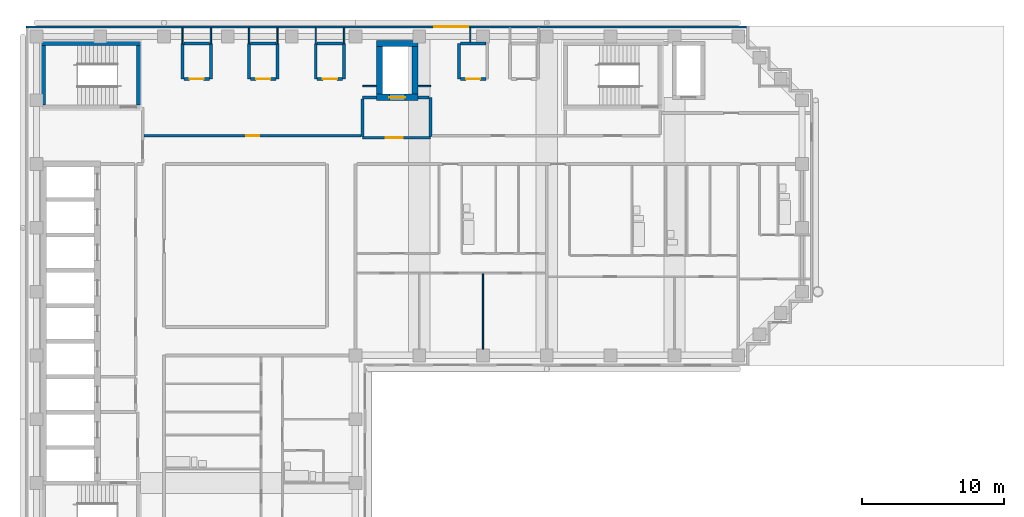
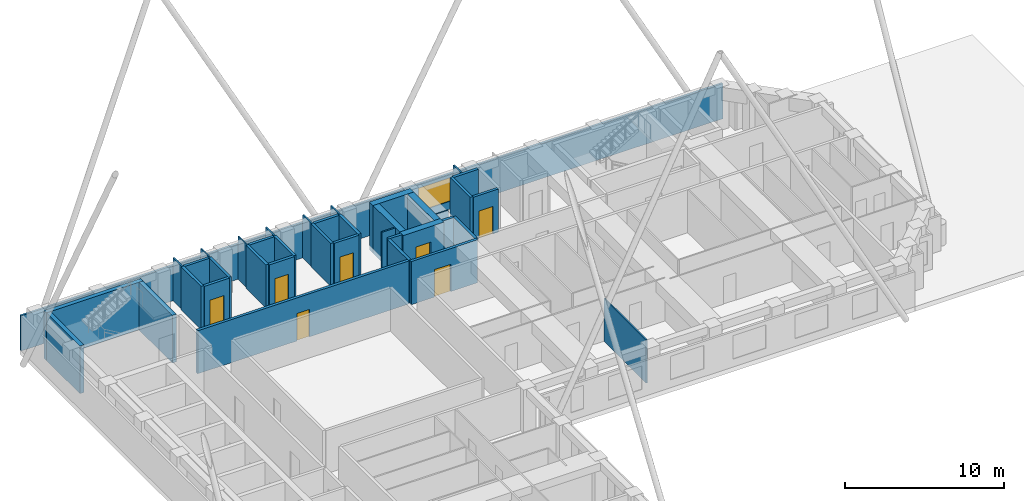
# One storey, part 6 of 11: 39 walls, 7 doors, 1 window, 8 openings.
"""IFC4 building model written with IfcOpenShell, lengths in metres."""

from ifc_helpers import new_model, si_unit, direction, frame, frame_2d, origin, place, context, subcontext, project, spatial, rectangle, extrude, material, layer, layer_set, type_object, element, fill, save


model = new_model("IFC4")

# Units and contexts
model_context = context("Model", 3, precision=1e-05, world=origin(), true_north=direction((0.0, 1.0)))
body_context = subcontext(model_context, "Body", "Model", "MODEL_VIEW")
ifc_project = project(units=[si_unit("LENGTHUNIT", "METRE"), si_unit("AREAUNIT", "SQUARE_METRE"), si_unit("VOLUMEUNIT", "CUBIC_METRE"), si_unit("PLANEANGLEUNIT", "RADIAN"), si_unit("MASSUNIT", "GRAM", prefix="KILO")], contexts=[model_context])

# Site, building, storey
site_placement = place(None, origin())
site = spatial("IfcSite", under=ifc_project, at=site_placement, CompositionType="ELEMENT")
building_placement = place(site_placement, origin())
building = spatial("IfcBuilding", under=site, at=building_placement, Name="Firuza Court", CompositionType="ELEMENT")
storey_placement = place(building_placement, frame((0.0, 0.0, 186.199951171875)))
storey = spatial("IfcBuildingStorey", under=building, at=storey_placement, Name="L47", CompositionType="ELEMENT", Elevation=186.199951171875)

# Walls
ifc_material_1 = material(Name="Concrete C50/60", Category="concrete")
ifc_layer_1 = layer(ifc_material_1, 0.300048828125)
ifc_layer_set_1 = layer_set([ifc_layer_1], Name="Concrete C50/60")
wall_type_1 = type_object("IfcWallType", Name="Core wall 300 C50/60", PredefinedType="SHEAR", material=ifc_layer_set_1)
wall_1_placement = place(storey_placement, frame((0.35009765625, 58.0, -0.349853515625), z_axis=(0.0, 0.0, 1.0), x_axis=(1.0, 0.0, 0.0)))
element("IfcWall", 1, at=wall_1_placement, inside=storey, type_object=wall_type_1, Name="Core wall stair L47", PredefinedType="SHEAR", context=body_context, shape_type="SweptSolid", body=[
    extrude(rectangle(XDim=7.0, YDim=0.300048828125, at=frame_2d((3.5, 0.0))), origin(), (0.0, 0.0, 1.0), 3.64990234375),
])
for number, where, z_axis, x_axis, name in (
    (2, (0.5, 53.64990234375, -0.349853515625), (0.0, 0.0, 1.0), (0.0, 1.0, 0.0), "Core wall stair L47"),
    (3, (7.199951171875, 53.64990234375, -0.349853515625), (0.0, 0.0, 1.0), (0.0, 1.0, 0.0), "Core wall stair L47"),
):
    element("IfcWall", number, at=place(storey_placement, frame(where, z_axis=z_axis, x_axis=x_axis)), inside=storey, type_object=wall_type_1, Name=name, PredefinedType="SHEAR", context=body_context, shape_type="SweptSolid", body=[
        extrude(rectangle(XDim=4.2001953125, YDim=0.300048828125, at=frame_2d((2.10009765625, 0.0))), origin(), (0.0, 0.0, 1.0), 3.64990234375),
    ])

# Wall, opening, door
ifc_layer_2 = layer(ifc_material_1, 0.449951171875)
ifc_layer_set_2 = layer_set([ifc_layer_2], Name="Concrete C50/60")
wall_type_2 = type_object("IfcWallType", Name="Core wall 450 C50/60", PredefinedType="SHEAR", material=ifc_layer_set_2)
wall_2_placement = place(storey_placement, frame((23.97509765625, 54.199951171875, -0.349853515625), z_axis=(0.0, 0.0, 1.0), x_axis=(1.0, 0.0, 0.0)))
wall_2 = element("IfcWall", 4, at=wall_2_placement, inside=storey, type_object=wall_type_2, Name="Core wall lift shaft L47", PredefinedType="SHEAR", context=body_context, shape_type="SweptSolid", body=[
    extrude(rectangle(XDim=2.949951171875, YDim=0.449951171875, at=frame_2d((1.47509765625, 0.0))), origin(), (0.0, 0.0, 1.0), 3.64990234375),
])
opening_1_placement = place(wall_2_placement, frame((0.925048828125, 0.0, 0.35009765625)))
opening_1 = element("IfcOpeningElement", 5, at=opening_1_placement, cuts=wall_2, Name="Opening LD-FL3-47", PredefinedType="OPENING", context=body_context, shape_type="SweptSolid", body=[
    extrude(rectangle(XDim=1.10009765625, YDim=2.10009765625, at=frame_2d((0.550048828125, 1.050048828125))), frame((0.0, 0.23681640625, 0.0), z_axis=(0.0, -1.0, 0.0), x_axis=(1.0, 0.0, 0.0)), (0.0, 0.0, 1.0), 0.473876953125),
])
ifc_material_2 = material(Name="Stainless steel 1.4301 door leaf", Category="steel")
door_type_1 = type_object("IfcDoorType", Name="Lift landing door 1100", OperationType="SLIDING_TO_LEFT", PredefinedType="DOOR", material=ifc_material_2)
door_1_placement = place(opening_1_placement, origin())
door_1 = element("IfcDoor", 6, at=door_1_placement, inside=storey, type_object=door_type_1, Name="Landing door FL3", OperationType="SLIDING_TO_LEFT", OverallHeight=2.10009765625, OverallWidth=1.10009765625, PredefinedType="DOOR", context=body_context, shape_type="SweptSolid", body=[
    extrude(rectangle(XDim=1.10009765625, YDim=2.10009765625, at=frame_2d((0.550048828125, 1.050048828125))), frame((0.0, 0.02490234375, 0.0), z_axis=(0.0, -1.0, 0.0), x_axis=(1.0, 0.0, 0.0)), (0.0, 0.0, 1.0), 0.050048828125),
])
fill(opening_1, door_1)

# Walls
wall_3_placement = place(storey_placement, frame((23.97509765625, 58.0, -0.349853515625), z_axis=(0.0, 0.0, 1.0), x_axis=(1.0, 0.0, 0.0)))
element("IfcWall", 7, at=wall_3_placement, inside=storey, type_object=wall_type_2, Name="Core wall lift shaft L47", PredefinedType="SHEAR", context=body_context, shape_type="SweptSolid", body=[
    extrude(rectangle(XDim=2.949951171875, YDim=0.449951171875, at=frame_2d((1.47509765625, 0.0))), origin(), (0.0, 0.0, 1.0), 3.64990234375),
])
for number, where, z_axis, x_axis, name in (
    (8, (24.199951171875, 54.425048828125, -0.349853515625), (0.0, 0.0, 1.0), (0.0, 1.0, 0.0), "Core wall lift shaft L47"),
    (9, (26.699951171875, 54.425048828125, -0.349853515625), (0.0, 0.0, 1.0), (0.0, 1.0, 0.0), "Core wall lift shaft L47"),
):
    element("IfcWall", number, at=place(storey_placement, frame(where, z_axis=z_axis, x_axis=x_axis)), inside=storey, type_object=wall_type_2, Name=name, PredefinedType="SHEAR", context=body_context, shape_type="SweptSolid", body=[
        extrude(rectangle(XDim=3.349853515625, YDim=0.449951171875, at=frame_2d((1.6748046875, 0.0))), origin(), (0.0, 0.0, 1.0), 3.64990234375),
    ])

# Wall, opening, door
ifc_material_3 = material(Name="Blockwork, plastered both sides", Category="masonry")
ifc_layer_3 = layer(ifc_material_3, 0.199951171875)
ifc_layer_set_3 = layer_set([ifc_layer_3], Name="Blockwork, plastered both sides")
wall_type_3 = type_object("IfcWallType", Name="Corridor wall 200", PredefinedType="PARTITIONING", material=ifc_layer_set_3)
wall_4_placement = place(storey_placement, frame((7.60009765625, 51.5, 0.0), z_axis=(0.0, 0.0, 1.0), x_axis=(1.0, 0.0, 0.0)))
wall_4 = element("IfcWall", 10, at=wall_4_placement, inside=storey, type_object=wall_type_3, Name="Corridor wall 200 L47", PredefinedType="PARTITIONING", context=body_context, shape_type="SweptSolid", body=[
    extrude(rectangle(XDim=15.2998046875, YDim=0.199951171875, at=frame_2d((7.64990234375, 0.0))), origin(), (0.0, 0.0, 1.0), 3.300048828125),
])
opening_2_placement = place(wall_4_placement, frame((7.199951171875, 0.0, 0.0)))
opening_2 = element("IfcOpeningElement", 11, at=opening_2_placement, cuts=wall_4, Name="Opening D47058", PredefinedType="OPENING", context=body_context, shape_type="SweptSolid", body=[
    extrude(rectangle(XDim=0.89990234375, YDim=2.10009765625, at=frame_2d((0.449951171875, 1.050048828125))), frame((0.0, 0.11181640625, 0.0), z_axis=(0.0, -1.0, 0.0), x_axis=(1.0, 0.0, 0.0)), (0.0, 0.0, 1.0), 0.223876953125),
])
ifc_material_4 = material(Name="Timber door leaf in hardwood frame", Category="wood")
door_type_2 = type_object("IfcDoorType", Name="Room door 900 EI 30", OperationType="SINGLE_SWING_LEFT", PredefinedType="DOOR", material=ifc_material_4)
door_2_placement = place(opening_2_placement, origin())
door_2 = element("IfcDoor", 12, at=door_2_placement, inside=storey, type_object=door_type_2, Name="Residents' workroom door", OperationType="SINGLE_SWING_LEFT", OverallHeight=2.10009765625, OverallWidth=0.89990234375, PredefinedType="DOOR", context=body_context, shape_type="SweptSolid", body=[
    extrude(rectangle(XDim=0.89990234375, YDim=2.10009765625, at=frame_2d((0.449951171875, 1.050048828125))), frame((0.0, 0.02490234375, 0.0), z_axis=(0.0, -1.0, 0.0), x_axis=(1.0, 0.0, 0.0)), (0.0, 0.0, 1.0), 0.050048828125),
])
fill(opening_2, door_2)

# Walls
ifc_material_5 = material(Name="Timber stud partition, plasterboard both sides", Category="wood")
ifc_layer_4 = layer(ifc_material_5, 0.10009765625)
ifc_layer_set_4 = layer_set([ifc_layer_4], Name="Timber stud partition, plasterboard both sides")
wall_type_4 = type_object("IfcWallType", Name="Partition wall 100", PredefinedType="PARTITIONING", material=ifc_layer_set_4)
wall_5_placement = place(storey_placement, frame((31.5, 36.449951171875, 0.0), z_axis=(0.0, 0.0, 1.0), x_axis=(0.0, 1.0, 0.0)))
element("IfcWall", 13, at=wall_5_placement, inside=storey, type_object=wall_type_4, Name="Partition wall 100 L47", PredefinedType="PARTITIONING", context=body_context, shape_type="SweptSolid", body=[
    extrude(rectangle(XDim=5.300048828125, YDim=0.10009765625, at=frame_2d((2.64990234375, 0.0))), origin(), (0.0, 0.0, 1.0), 3.300048828125),
])
wall_6_placement = place(storey_placement, frame((23.0, 55.0, 0.0), z_axis=(0.0, 0.0, 1.0), x_axis=(1.0, 0.0, 0.0)))
element("IfcWall", 14, at=wall_6_placement, inside=storey, type_object=wall_type_4, Name="Partition wall 100 L47", PredefinedType="PARTITIONING", context=body_context, shape_type="SweptSolid", body=[
    extrude(rectangle(XDim=0.97509765625, YDim=0.10009765625, at=frame_2d((0.487548828125, 0.0))), origin(), (0.0, 0.0, 1.0), 3.300048828125),
])
wall_7_placement = place(storey_placement, frame((26.925048828125, 55.0, 0.0), z_axis=(0.0, 0.0, 1.0), x_axis=(1.0, 0.0, 0.0)))
element("IfcWall", 15, at=wall_7_placement, inside=storey, type_object=wall_type_4, Name="Partition wall 100 L47", PredefinedType="PARTITIONING", context=body_context, shape_type="SweptSolid", body=[
    extrude(rectangle(XDim=0.875, YDim=0.10009765625, at=frame_2d((0.4375, 0.0))), origin(), (0.0, 0.0, 1.0), 3.300048828125),
])
for number, where, z_axis, x_axis, name in (
    (16, (10.300048828125, 58.0, 0.0), (0.0, 0.0, 1.0), (0.0, 1.0, 0.0), "Partition wall 100 L47"),
    (17, (12.300048828125, 58.0, 0.0), (0.0, 0.0, 1.0), (0.0, 1.0, 0.0), "Partition wall 100 L47"),
    (18, (15.0, 58.0, 0.0), (0.0, 0.0, 1.0), (0.0, 1.0, 0.0), "Partition wall 100 L47"),
    (19, (17.0, 58.0, 0.0), (0.0, 0.0, 1.0), (0.0, 1.0, 0.0), "Partition wall 100 L47"),
    (20, (19.699951171875, 58.0, 0.0), (0.0, 0.0, 1.0), (0.0, 1.0, 0.0), "Partition wall 100 L47"),
    (21, (21.699951171875, 58.0, 0.0), (0.0, 0.0, 1.0), (0.0, 1.0, 0.0), "Partition wall 100 L47"),
):
    element("IfcWall", number, at=place(storey_placement, frame(where, z_axis=z_axis, x_axis=x_axis)), inside=storey, type_object=wall_type_4, Name=name, PredefinedType="PARTITIONING", context=body_context, shape_type="SweptSolid", body=[
        extrude(rectangle(XDim=1.10009765625, YDim=0.10009765625, at=frame_2d((0.550048828125, 0.0))), origin(), (0.0, 0.0, 1.0), 3.300048828125),
    ])
wall_8_placement = place(storey_placement, frame((30.60009765625, 58.10009765625, 0.0), z_axis=(0.0, 0.0, 1.0), x_axis=(0.0, 1.0, 0.0)))
element("IfcWall", 22, at=wall_8_placement, inside=storey, type_object=wall_type_4, Name="Partition wall 100 L47", PredefinedType="PARTITIONING", context=body_context, shape_type="SweptSolid", body=[
    extrude(rectangle(XDim=1.0, YDim=0.10009765625, at=frame_2d((0.5, 0.0))), origin(), (0.0, 0.0, 1.0), 3.300048828125),
])
ifc_material_6 = material(Name="Blockwork, fire-rated", Category="masonry")
ifc_layer_5 = layer(ifc_material_6, 0.199951171875)
ifc_layer_set_5 = layer_set([ifc_layer_5], Name="Blockwork, fire-rated")
wall_type_5 = type_object("IfcWallType", Name="Plant room wall 200", PredefinedType="PARTITIONING", material=ifc_layer_set_5)
wall_9_placement = place(storey_placement, frame((10.300048828125, 55.5, 0.0), z_axis=(0.0, 0.0, 1.0), x_axis=(0.0, 1.0, 0.0)))
element("IfcWall", 23, at=wall_9_placement, inside=storey, type_object=wall_type_5, Name="Plant room wall 200 L47", PredefinedType="PARTITIONING", context=body_context, shape_type="SweptSolid", body=[
    extrude(rectangle(XDim=2.5, YDim=0.199951171875, at=frame_2d((1.25, 0.0))), origin(), (0.0, 0.0, 1.0), 3.300048828125),
])

# Wall, opening, door
wall_10_placement = place(storey_placement, frame((10.39990234375, 55.5, 0.0), z_axis=(0.0, 0.0, 1.0), x_axis=(1.0, 0.0, 0.0)))
wall_10 = element("IfcWall", 24, at=wall_10_placement, inside=storey, type_object=wall_type_5, Name="Plant room wall 200 L47", PredefinedType="PARTITIONING", context=body_context, shape_type="SweptSolid", body=[
    extrude(rectangle(XDim=1.800048828125, YDim=0.199951171875, at=frame_2d((0.89990234375, 0.0))), origin(), (0.0, 0.0, 1.0), 3.300048828125),
])
opening_3_placement = place(wall_10_placement, frame((0.39990234375, 0.0, 0.0)))
opening_3 = element("IfcOpeningElement", 25, at=opening_3_placement, cuts=wall_10, Name="Opening D47061", PredefinedType="OPENING", context=body_context, shape_type="SweptSolid", body=[
    extrude(rectangle(XDim=1.0, YDim=2.10009765625, at=frame_2d((0.5, 1.050048828125))), frame((0.0, 0.11181640625, 0.0), z_axis=(0.0, -1.0, 0.0), x_axis=(1.0, 0.0, 0.0)), (0.0, 0.0, 1.0), 0.223876953125),
])
ifc_material_7 = material(Name="Timber door leaf in hardwood frame", Category="wood")
door_type_3 = type_object("IfcDoorType", Name="Riser door 1000", OperationType="SINGLE_SWING_LEFT", PredefinedType="DOOR", material=ifc_material_7)
door_3_placement = place(opening_3_placement, origin())
door_3 = element("IfcDoor", 26, at=door_3_placement, inside=storey, type_object=door_type_3, Name="Comms riser door", OperationType="SINGLE_SWING_LEFT", OverallHeight=2.10009765625, OverallWidth=1.0, PredefinedType="DOOR", context=body_context, shape_type="SweptSolid", body=[
    extrude(rectangle(XDim=1.0, YDim=2.10009765625, at=frame_2d((0.5, 1.050048828125))), frame((0.0, 0.02490234375, 0.0), z_axis=(0.0, -1.0, 0.0), x_axis=(1.0, 0.0, 0.0)), (0.0, 0.0, 1.0), 0.050048828125),
])
fill(opening_3, door_3)

# Walls
for number, where, z_axis, x_axis, name in (
    (27, (12.300048828125, 55.5, 0.0), (0.0, 0.0, 1.0), (0.0, 1.0, 0.0), "Plant room wall 200 L47"),
    (28, (15.0, 55.5, 0.0), (0.0, 0.0, 1.0), (0.0, 1.0, 0.0), "Plant room wall 200 L47"),
):
    element("IfcWall", number, at=place(storey_placement, frame(where, z_axis=z_axis, x_axis=x_axis)), inside=storey, type_object=wall_type_5, Name=name, PredefinedType="PARTITIONING", context=body_context, shape_type="SweptSolid", body=[
        extrude(rectangle(XDim=2.5, YDim=0.199951171875, at=frame_2d((1.25, 0.0))), origin(), (0.0, 0.0, 1.0), 3.300048828125),
    ])

# Wall, opening, door
wall_11_placement = place(storey_placement, frame((15.10009765625, 55.5, 0.0), z_axis=(0.0, 0.0, 1.0), x_axis=(1.0, 0.0, 0.0)))
wall_11 = element("IfcWall", 29, at=wall_11_placement, inside=storey, type_object=wall_type_5, Name="Plant room wall 200 L47", PredefinedType="PARTITIONING", context=body_context, shape_type="SweptSolid", body=[
    extrude(rectangle(XDim=1.7998046875, YDim=0.199951171875, at=frame_2d((0.89990234375, 0.0))), origin(), (0.0, 0.0, 1.0), 3.300048828125),
])
opening_4_placement = place(wall_11_placement, frame((0.39990234375, 0.0, 0.0)))
opening_4 = element("IfcOpeningElement", 30, at=opening_4_placement, cuts=wall_11, Name="Opening D47062", PredefinedType="OPENING", context=body_context, shape_type="SweptSolid", body=[
    extrude(rectangle(XDim=1.0, YDim=2.10009765625, at=frame_2d((0.5, 1.050048828125))), frame((0.0, 0.11181640625, 0.0), z_axis=(0.0, -1.0, 0.0), x_axis=(1.0, 0.0, 0.0)), (0.0, 0.0, 1.0), 0.223876953125),
])
door_4_placement = place(opening_4_placement, origin())
door_4 = element("IfcDoor", 31, at=door_4_placement, inside=storey, type_object=door_type_3, Name="Electrical riser door", OperationType="SINGLE_SWING_LEFT", OverallHeight=2.10009765625, OverallWidth=1.0, PredefinedType="DOOR", context=body_context, shape_type="SweptSolid", body=[
    extrude(rectangle(XDim=1.0, YDim=2.10009765625, at=frame_2d((0.5, 1.050048828125))), frame((0.0, 0.02490234375, 0.0), z_axis=(0.0, -1.0, 0.0), x_axis=(1.0, 0.0, 0.0)), (0.0, 0.0, 1.0), 0.050048828125),
])
fill(opening_4, door_4)

# Walls
for number, where, z_axis, x_axis, name in (
    (32, (17.0, 55.5, 0.0), (0.0, 0.0, 1.0), (0.0, 1.0, 0.0), "Plant room wall 200 L47"),
    (33, (19.699951171875, 55.5, 0.0), (0.0, 0.0, 1.0), (0.0, 1.0, 0.0), "Plant room wall 200 L47"),
):
    element("IfcWall", number, at=place(storey_placement, frame(where, z_axis=z_axis, x_axis=x_axis)), inside=storey, type_object=wall_type_5, Name=name, PredefinedType="PARTITIONING", context=body_context, shape_type="SweptSolid", body=[
        extrude(rectangle(XDim=2.5, YDim=0.199951171875, at=frame_2d((1.25, 0.0))), origin(), (0.0, 0.0, 1.0), 3.300048828125),
    ])

# Wall, opening, door
wall_12_placement = place(storey_placement, frame((19.800048828125, 55.5, 0.0), z_axis=(0.0, 0.0, 1.0), x_axis=(1.0, 0.0, 0.0)))
wall_12 = element("IfcWall", 34, at=wall_12_placement, inside=storey, type_object=wall_type_5, Name="Plant room wall 200 L47", PredefinedType="PARTITIONING", context=body_context, shape_type="SweptSolid", body=[
    extrude(rectangle(XDim=1.800048828125, YDim=0.199951171875, at=frame_2d((0.89990234375, 0.0))), origin(), (0.0, 0.0, 1.0), 3.300048828125),
])
opening_5_placement = place(wall_12_placement, frame((0.39990234375, 0.0, 0.0)))
opening_5 = element("IfcOpeningElement", 35, at=opening_5_placement, cuts=wall_12, Name="Opening D47063", PredefinedType="OPENING", context=body_context, shape_type="SweptSolid", body=[
    extrude(rectangle(XDim=1.0, YDim=2.10009765625, at=frame_2d((0.5, 1.050048828125))), frame((0.0, 0.11181640625, 0.0), z_axis=(0.0, -1.0, 0.0), x_axis=(1.0, 0.0, 0.0)), (0.0, 0.0, 1.0), 0.223876953125),
])
door_5_placement = place(opening_5_placement, origin())
door_5 = element("IfcDoor", 36, at=door_5_placement, inside=storey, type_object=door_type_3, Name="Duct riser door", OperationType="SINGLE_SWING_LEFT", OverallHeight=2.10009765625, OverallWidth=1.0, PredefinedType="DOOR", context=body_context, shape_type="SweptSolid", body=[
    extrude(rectangle(XDim=1.0, YDim=2.10009765625, at=frame_2d((0.5, 1.050048828125))), frame((0.0, 0.02490234375, 0.0), z_axis=(0.0, -1.0, 0.0), x_axis=(1.0, 0.0, 0.0)), (0.0, 0.0, 1.0), 0.050048828125),
])
fill(opening_5, door_5)

# Walls
for number, where, z_axis, x_axis, name in (
    (37, (21.699951171875, 55.5, 0.0), (0.0, 0.0, 1.0), (0.0, 1.0, 0.0), "Plant room wall 200 L47"),
    (38, (29.800048828125, 55.5, 0.0), (0.0, 0.0, 1.0), (0.0, 1.0, 0.0), "Plant room wall 200 L47"),
):
    element("IfcWall", number, at=place(storey_placement, frame(where, z_axis=z_axis, x_axis=x_axis)), inside=storey, type_object=wall_type_5, Name=name, PredefinedType="PARTITIONING", context=body_context, shape_type="SweptSolid", body=[
        extrude(rectangle(XDim=2.5, YDim=0.199951171875, at=frame_2d((1.25, 0.0))), origin(), (0.0, 0.0, 1.0), 3.300048828125),
    ])

# Wall, opening, door
wall_13_placement = place(storey_placement, frame((29.89990234375, 55.5, 0.0), z_axis=(0.0, 0.0, 1.0), x_axis=(1.0, 0.0, 0.0)))
wall_13 = element("IfcWall", 39, at=wall_13_placement, inside=storey, type_object=wall_type_5, Name="Plant room wall 200 L47", PredefinedType="PARTITIONING", context=body_context, shape_type="SweptSolid", body=[
    extrude(rectangle(XDim=1.800048828125, YDim=0.199951171875, at=frame_2d((0.89990234375, 0.0))), origin(), (0.0, 0.0, 1.0), 3.300048828125),
])
opening_6_placement = place(wall_13_placement, frame((0.39990234375, 0.0, 0.0)))
opening_6 = element("IfcOpeningElement", 40, at=opening_6_placement, cuts=wall_13, Name="Opening D47064", PredefinedType="OPENING", context=body_context, shape_type="SweptSolid", body=[
    extrude(rectangle(XDim=1.0, YDim=2.10009765625, at=frame_2d((0.5, 1.050048828125))), frame((0.0, 0.11181640625, 0.0), z_axis=(0.0, -1.0, 0.0), x_axis=(1.0, 0.0, 0.0)), (0.0, 0.0, 1.0), 0.223876953125),
])
door_6_placement = place(opening_6_placement, origin())
door_6 = element("IfcDoor", 41, at=door_6_placement, inside=storey, type_object=door_type_3, Name="Electrical riser door", OperationType="SINGLE_SWING_LEFT", OverallHeight=2.10009765625, OverallWidth=1.0, PredefinedType="DOOR", context=body_context, shape_type="SweptSolid", body=[
    extrude(rectangle(XDim=1.0, YDim=2.10009765625, at=frame_2d((0.5, 1.050048828125))), frame((0.0, 0.02490234375, 0.0), z_axis=(0.0, -1.0, 0.0), x_axis=(1.0, 0.0, 0.0)), (0.0, 0.0, 1.0), 0.050048828125),
])
fill(opening_6, door_6)

# Walls
wall_14_placement = place(storey_placement, frame((10.39990234375, 58.0, 0.0), z_axis=(0.0, 0.0, 1.0), x_axis=(1.0, 0.0, 0.0)))
element("IfcWall", 42, at=wall_14_placement, inside=storey, type_object=wall_type_5, Name="Plant room wall 200 L47", PredefinedType="PARTITIONING", context=body_context, shape_type="SweptSolid", body=[
    extrude(rectangle(XDim=1.800048828125, YDim=0.199951171875, at=frame_2d((0.89990234375, 0.0))), origin(), (0.0, 0.0, 1.0), 3.300048828125),
])
wall_15_placement = place(storey_placement, frame((15.10009765625, 58.0, 0.0), z_axis=(0.0, 0.0, 1.0), x_axis=(1.0, 0.0, 0.0)))
element("IfcWall", 43, at=wall_15_placement, inside=storey, type_object=wall_type_5, Name="Plant room wall 200 L47", PredefinedType="PARTITIONING", context=body_context, shape_type="SweptSolid", body=[
    extrude(rectangle(XDim=1.7998046875, YDim=0.199951171875, at=frame_2d((0.89990234375, 0.0))), origin(), (0.0, 0.0, 1.0), 3.300048828125),
])
for number, where, z_axis, x_axis, name in (
    (44, (19.800048828125, 58.0, 0.0), (0.0, 0.0, 1.0), (1.0, 0.0, 0.0), "Plant room wall 200 L47"),
    (45, (29.89990234375, 58.0, 0.0), (0.0, 0.0, 1.0), (1.0, 0.0, 0.0), "Plant room wall 200 L47"),
):
    element("IfcWall", number, at=place(storey_placement, frame(where, z_axis=z_axis, x_axis=x_axis)), inside=storey, type_object=wall_type_5, Name=name, PredefinedType="PARTITIONING", context=body_context, shape_type="SweptSolid", body=[
        extrude(rectangle(XDim=1.800048828125, YDim=0.199951171875, at=frame_2d((0.89990234375, 0.0))), origin(), (0.0, 0.0, 1.0), 3.300048828125),
    ])

# Wall, opening, window
ifc_material_8 = material(Name="Ceramic tile", Category="ceramic")
ifc_layer_6 = layer(ifc_material_8, 0.02001953125)
ifc_material_9 = material(Name="Mineral wool insulation", Category="insulation")
ifc_layer_7 = layer(ifc_material_9, 0.050048828125)
ifc_material_10 = material(Name="Concrete C40/50 precast", Category="concrete")
ifc_layer_8 = layer(ifc_material_10, 0.080078125)
ifc_layer_set_6 = layer_set([ifc_layer_6, ifc_layer_7, ifc_layer_8], Name="Concrete C40/50 precast")
wall_type_6 = type_object("IfcWallType", Name="Precast cladding wall with turquoise TILE PANEL face 150", PredefinedType="STANDARD", material=ifc_layer_set_6)
wall_16_placement = place(storey_placement, frame((50.10009765625, 59.175048828125, 0.0), z_axis=(0.0, 0.0, 1.0), x_axis=(-1.0, 0.0, 0.0)))
wall_16 = element("IfcWall", 46, at=wall_16_placement, inside=storey, type_object=wall_type_6, Name="Facade wall L47 N", PredefinedType="STANDARD", context=body_context, shape_type="SweptSolid", body=[
    extrude(rectangle(XDim=50.85009765625, YDim=0.14990234375, at=frame_2d((25.425048828125, 0.0))), origin(), (0.0, 0.0, 1.0), 2.699951171875),
])
opening_7_placement = place(wall_16_placement, frame((19.64990234375, 0.0, 0.60009765625)))
opening_7 = element("IfcOpeningElement", 47, at=opening_7_placement, cuts=wall_16, Name="Opening W1", PredefinedType="OPENING", context=body_context, shape_type="SweptSolid", body=[
    extrude(rectangle(XDim=2.39990234375, YDim=1.800048828125, at=frame_2d((1.199951171875, 0.89990234375))), frame((0.0, 0.0869140625, 0.0), z_axis=(0.0, -1.0, 0.0), x_axis=(1.0, 0.0, 0.0)), (0.0, 0.0, 1.0), 0.173828125),
])
ifc_material_11 = material(Name="Aluminium frame, triple clear glazing", Category="aluminium")
window_type = type_object("IfcWindowType", Name="Window W1 2400 x 1800", PartitioningType="SINGLE_PANEL", PredefinedType="WINDOW", material=ifc_material_11)
window_placement = place(opening_7_placement, origin())
window = element("IfcWindow", 48, at=window_placement, inside=storey, type_object=window_type, Name="Window L47", OverallHeight=1.800048828125, OverallWidth=2.39990234375, PartitioningType="SINGLE_PANEL", PredefinedType="WINDOW", context=body_context, shape_type="SweptSolid", body=[
    extrude(rectangle(XDim=2.39990234375, YDim=1.800048828125, at=frame_2d((1.199951171875, 0.89990234375))), frame((0.0, 0.030029296875, 0.0), z_axis=(0.0, -1.0, 0.0), x_axis=(1.0, 0.0, 0.0)), (0.0, 0.0, 1.0), 0.06005859375),
])
fill(opening_7, window)

# Wall, opening, door
ifc_layer_9 = layer(ifc_material_6, 0.199951171875)
ifc_layer_set_7 = layer_set([ifc_layer_9], Name="Blockwork, fire-rated")
wall_type_7 = type_object("IfcWallType", Name="Shaft wall 200", PredefinedType="PARTITIONING", material=ifc_layer_set_7)
wall_17_placement = place(storey_placement, frame((23.0, 51.35009765625, 0.0), z_axis=(0.0, 0.0, 1.0), x_axis=(1.0, 0.0, 0.0)))
wall_17 = element("IfcWall", 49, at=wall_17_placement, inside=storey, type_object=wall_type_7, Name="Shaft wall 200 L47", PredefinedType="PARTITIONING", context=body_context, shape_type="SweptSolid", body=[
    extrude(rectangle(XDim=4.800048828125, YDim=0.199951171875, at=frame_2d((2.39990234375, 0.0))), origin(), (0.0, 0.0, 1.0), 3.300048828125),
])
opening_8_placement = place(wall_17_placement, frame((1.64990234375, 0.0, 0.0)))
opening_8 = element("IfcOpeningElement", 50, at=opening_8_placement, cuts=wall_17, Name="Opening D47003", PredefinedType="OPENING", context=body_context, shape_type="SweptSolid", body=[
    extrude(rectangle(XDim=1.199951171875, YDim=2.10009765625, at=frame_2d((0.60009765625, 1.050048828125))), frame((0.0, 0.11181640625, 0.0), z_axis=(0.0, -1.0, 0.0), x_axis=(1.0, 0.0, 0.0)), (0.0, 0.0, 1.0), 0.223876953125),
])
ifc_material_12 = material(Name="Timber door leaf in hardwood frame", Category="wood")
door_type_4 = type_object("IfcDoorType", Name="Lobby door 1200", OperationType="SINGLE_SWING_LEFT", PredefinedType="DOOR", material=ifc_material_12)
door_7_placement = place(opening_8_placement, origin())
door_7 = element("IfcDoor", 51, at=door_7_placement, inside=storey, type_object=door_type_4, Name="Fire-fighting lobby door", OperationType="SINGLE_SWING_LEFT", OverallHeight=2.10009765625, OverallWidth=1.199951171875, PredefinedType="DOOR", context=body_context, shape_type="SweptSolid", body=[
    extrude(rectangle(XDim=1.199951171875, YDim=2.10009765625, at=frame_2d((0.60009765625, 1.050048828125))), frame((0.0, 0.02490234375, 0.0), z_axis=(0.0, -1.0, 0.0), x_axis=(1.0, 0.0, 0.0)), (0.0, 0.0, 1.0), 0.050048828125),
])
fill(opening_8, door_7)

# Walls
wall_18_placement = place(storey_placement, frame((27.800048828125, 51.449951171875, 0.0), z_axis=(0.0, 0.0, 1.0), x_axis=(0.0, 1.0, 0.0)))
element("IfcWall", 52, at=wall_18_placement, inside=storey, type_object=wall_type_7, Name="Shaft wall 200 L47", PredefinedType="PARTITIONING", context=body_context, shape_type="SweptSolid", body=[
    extrude(rectangle(XDim=2.75, YDim=0.199951171875, at=frame_2d((1.375, 0.0))), origin(), (0.0, 0.0, 1.0), 3.300048828125),
])
wall_19_placement = place(storey_placement, frame((23.0, 54.199951171875, 0.0), z_axis=(0.0, 0.0, 1.0), x_axis=(1.0, 0.0, 0.0)))
element("IfcWall", 53, at=wall_19_placement, inside=storey, type_object=wall_type_7, Name="Shaft wall 200 L47", PredefinedType="PARTITIONING", context=body_context, shape_type="SweptSolid", body=[
    extrude(rectangle(XDim=0.97509765625, YDim=0.199951171875, at=frame_2d((0.487548828125, 0.0))), origin(), (0.0, 0.0, 1.0), 3.300048828125),
])
wall_20_placement = place(storey_placement, frame((26.925048828125, 54.199951171875, 0.0), z_axis=(0.0, 0.0, 1.0), x_axis=(1.0, 0.0, 0.0)))
element("IfcWall", 54, at=wall_20_placement, inside=storey, type_object=wall_type_7, Name="Shaft wall 200 L47", PredefinedType="PARTITIONING", context=body_context, shape_type="SweptSolid", body=[
    extrude(rectangle(XDim=0.77490234375, YDim=0.199951171875, at=frame_2d((0.387451171875, 0.0))), origin(), (0.0, 0.0, 1.0), 3.300048828125),
])
wall_21_placement = place(storey_placement, frame((23.0, 51.449951171875, 0.0), z_axis=(0.0, 0.0, 1.0), x_axis=(0.0, 1.0, 0.0)))
element("IfcWall", 55, at=wall_21_placement, inside=storey, type_object=wall_type_7, Name="Shaft wall 200 L47", PredefinedType="PARTITIONING", context=body_context, shape_type="SweptSolid", body=[
    extrude(rectangle(XDim=2.650146484375, YDim=0.199951171875, at=frame_2d((1.3251953125, 0.0))), origin(), (0.0, 0.0, 1.0), 3.300048828125),
])

save(model, "model.ifc")
